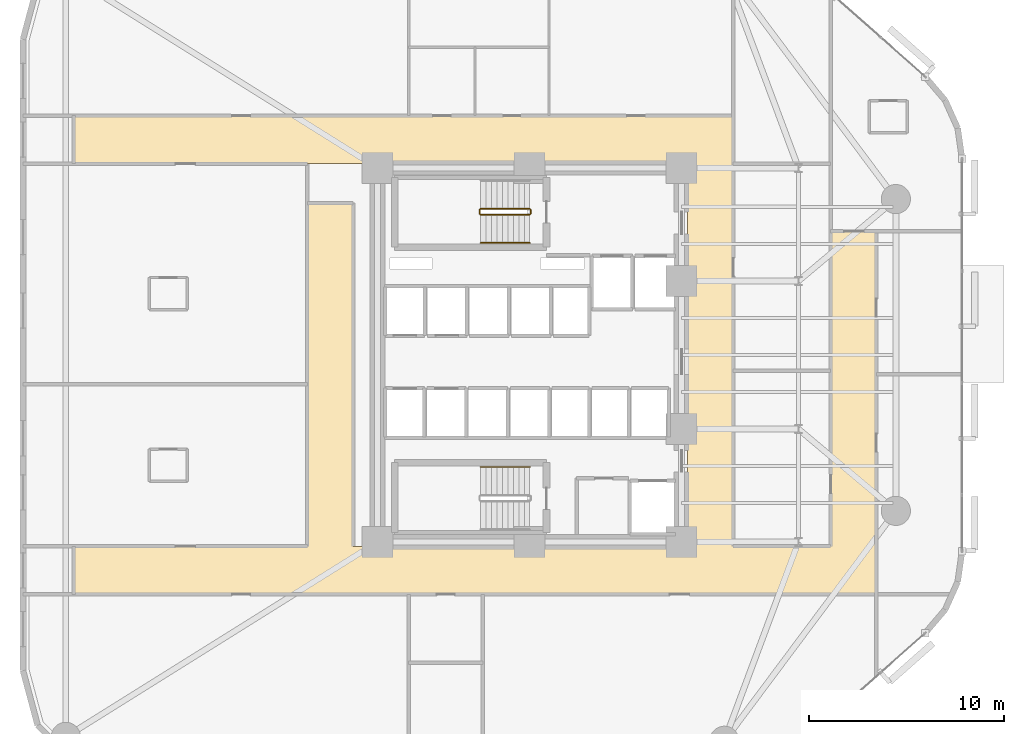
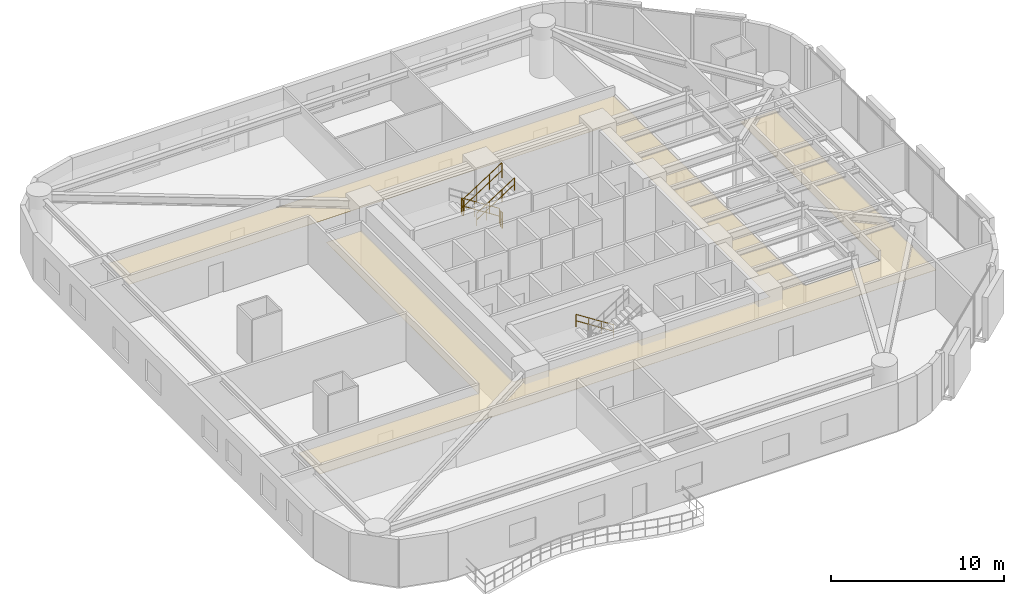
# One storey, part 15 of 16: 6 railings, 1 covering.
"""IFC4 building model written with IfcOpenShell, lengths in metres."""

import ifcopenshell
import ifcopenshell.guid

model = None  # the IFC model being written
_history = None  # IfcOwnerHistory: only IFC2X3 demands one
_inside = {}  # id of a spatial element -> (the spatial element, [elements in it])
_under = {}  # id of a project, library or spatial element -> (it, [spatial elements below it])
_declared = {}  # id of a project -> (the project, [libraries it declares])
_typed = {}  # id of a type object -> (the type object, [elements of that type])
_made_of = {}  # id of a material, layer set ... -> (it, [elements and type objects made of it])


def new_model(schema):
    """Start an empty IFC model of exactly this schema.

    Asked for "IFC4X3", IfcOpenShell would pick the latest addendum, in which some entities
    have other attributes; the version numbers below select the first issue.
    IFC2X3 requires an IfcOwnerHistory on every rooted entity: one is made here for all.
    """
    global model, _history
    if schema == "IFC4X3":
        model = ifcopenshell.file(schema_version=(4, 3, 0, 0))
    else:
        model = ifcopenshell.file(schema=schema)
    _inside.clear()
    _under.clear()
    _declared.clear()
    _typed.clear()
    _made_of.clear()
    _history = None
    if model.schema == "IFC2X3":
        org = make("IfcOrganization", Name="unknown")
        user = make(
            "IfcPersonAndOrganization",
            ThePerson=make("IfcPerson", FamilyName="unknown"),
            TheOrganization=org,
        )
        app = make(
            "IfcApplication",
            ApplicationDeveloper=org,
            Version="unknown",
            ApplicationFullName="unknown",
            ApplicationIdentifier="unknown",
        )
        _history = make(
            "IfcOwnerHistory",
            OwningUser=user,
            OwningApplication=app,
            ChangeAction="ADDED",
            CreationDate=0,
        )
    return model


def make(cls, **values):
    """One entity of the class cls with the attributes given. An attribute that is None is left unset."""
    return model.create_entity(
        cls, **{name: value for name, value in values.items() if value is not None}
    )


def rooted(cls, **values):
    """An entity with a GlobalId (a new one), such as an element, a storey or a relation."""
    return make(cls, GlobalId=ifcopenshell.guid.new(), OwnerHistory=_history, **values)


def si_unit(unit_type, name, prefix=None):
    """IfcSIUnit, for example si_unit("LENGTHUNIT", "METRE", prefix="MILLI")."""
    return make("IfcSIUnit", UnitType=unit_type, Prefix=prefix, Name=name)


def assignment(units):
    """IfcUnitAssignment: the units of a project."""
    return None if units is None else make("IfcUnitAssignment", Units=units)


def point(xyz):
    """IfcCartesianPoint."""
    return None if xyz is None else make("IfcCartesianPoint", Coordinates=xyz)


def direction(xyz):
    """IfcDirection."""
    return None if xyz is None else make("IfcDirection", DirectionRatios=xyz)


def frame(location, z_axis=None, x_axis=None):
    """IfcAxis2Placement3D, a coordinate frame: its origin and axes. An axis left out is left unset."""
    return make(
        "IfcAxis2Placement3D",
        Location=point(location),
        Axis=direction(z_axis),
        RefDirection=direction(x_axis),
    )


def frame_2d(location, x_axis=None):
    """IfcAxis2Placement2D, a coordinate frame in the plane: its origin and x axis."""
    return make(
        "IfcAxis2Placement2D", Location=point(location), RefDirection=direction(x_axis)
    )


def origin():
    """The frame at (0, 0, 0) with its axes left unset."""
    return frame((0.0, 0.0, 0.0))


def origin_2d():
    """The frame at (0, 0) in the plane with its x axis left unset."""
    return frame_2d((0.0, 0.0))


def place(relative_to, where):
    """IfcLocalPlacement: puts the frame where relative to a parent placement (None: the world)."""
    return make(
        "IfcLocalPlacement", PlacementRelTo=relative_to, RelativePlacement=where
    )


def context(
    kind, dimensions, precision=None, world=None, true_north=None, identifier=None
):
    """IfcGeometricRepresentationContext, for example the 3D "Model" context."""
    return make(
        "IfcGeometricRepresentationContext",
        ContextIdentifier=identifier,
        ContextType=kind,
        CoordinateSpaceDimension=dimensions,
        Precision=precision,
        WorldCoordinateSystem=world,
        TrueNorth=true_north,
    )


def subcontext(parent, identifier, kind, view, scale=None):
    """IfcGeometricRepresentationSubContext, for example "Body" below "Model"."""
    return make(
        "IfcGeometricRepresentationSubContext",
        ContextIdentifier=identifier,
        ContextType=kind,
        ParentContext=parent,
        TargetScale=scale,
        TargetView=view,
    )


def project(units=None, contexts=None):
    """IfcProject with its units and contexts."""
    return rooted(
        "IfcProject",
        Name="project",
        RepresentationContexts=contexts,
        UnitsInContext=assignment(units),
    )


def spatial(cls, under=None, at=None, **own):
    """A site, building, storey or space (cls), placed at a placement, below another one or the project."""
    s = rooted(cls, ObjectPlacement=at, **own)
    if under is not None:
        _under.setdefault(under.id(), (under, []))[1].append(s)
    return s


def polyline(points):
    """IfcPolyline through the points."""
    return make("IfcPolyline", Points=[point(p) for p in points])


def profile(cls, at=None, kind="AREA", **sizes):
    """A parametric profile (cls). Its sizes go by their IFC names, for example OverallWidth=200.0."""
    return make(cls, ProfileType=kind, Position=at, **sizes)


def circle(**sizes):
    """IfcCircleProfileDef."""
    return profile("IfcCircleProfileDef", **sizes)


def outline(outer, holes=None, kind="AREA"):
    """IfcArbitraryClosedProfileDef: a profile drawn as a closed curve; with holes, ...WithVoids."""
    if holes is None:
        return make("IfcArbitraryClosedProfileDef", ProfileType=kind, OuterCurve=outer)
    return make(
        "IfcArbitraryProfileDefWithVoids",
        ProfileType=kind,
        OuterCurve=outer,
        InnerCurves=holes,
    )


def extrude(swept, where, along, depth):
    """IfcExtrudedAreaSolid: the profile swept, set in the frame where, extruded along a direction by depth."""
    return make(
        "IfcExtrudedAreaSolid",
        SweptArea=swept,
        Position=where,
        ExtrudedDirection=direction(along),
        Depth=depth,
    )


def shape(context_of_items, identifier, shape_type, items):
    """IfcShapeRepresentation: the items that make up one representation, for example the "Body"."""
    return make(
        "IfcShapeRepresentation",
        ContextOfItems=context_of_items,
        RepresentationIdentifier=identifier,
        RepresentationType=shape_type,
        Items=items,
    )


def material(Name=None, Category=None):
    """IfcMaterial."""
    return make("IfcMaterial", Name=Name, Category=Category)


def layer(
    of_material, thickness, ventilated=None, Name=None, Category=None, Priority=None
):
    """IfcMaterialLayer: one layer of a wall or slab, of a material (None: an air gap)."""
    return make(
        "IfcMaterialLayer",
        Material=of_material,
        LayerThickness=thickness,
        IsVentilated=ventilated,
        Name=Name,
        Category=Category,
        Priority=Priority,
    )


def layer_set(layers, Name=None):
    """IfcMaterialLayerSet."""
    return make("IfcMaterialLayerSet", MaterialLayers=layers, LayerSetName=Name)


def made_of(thing, what):
    """Note that an element or type object is made of a material, layer set ...; save() writes the relation."""
    if what is not None:
        _made_of.setdefault(what.id(), (what, []))[1].append(thing)
    return thing


def type_object(cls, material=None, **own):
    """A type object (cls), such as IfcWallType, which elements share."""
    return made_of(rooted(cls, **own), material)


def element(
    cls,
    number,
    at=None,
    inside=None,
    cuts=None,
    type_object=None,
    material=None,
    context=None,
    identifier="Body",
    shape_type=None,
    held_by="IfcProductDefinitionShape",
    body=None,
    shapes=None,
    **own,
):
    """One element of the class cls, such as IfcWall. Its Tag is "e" and its number.

    at: its placement. inside: the storey or other place that contains it. cuts: it is an
    opening in that element (IfcRelVoidsElement). A single representation is given by context,
    identifier, shape_type and body (its items); several are given by shapes. held_by: the class
    of the entity that holds the representations. save() writes the other relations.
    """
    e = rooted(cls, Tag="e%d" % number, ObjectPlacement=at, **own)
    if body is not None:
        shapes = [shape(context, identifier, shape_type, body)]
    if shapes is not None:
        e.Representation = make(held_by, Representations=shapes)
    if inside is not None:
        _inside.setdefault(inside.id(), (inside, []))[1].append(e)
    if cuts is not None:
        rooted(
            "IfcRelVoidsElement", RelatingBuildingElement=cuts, RelatedOpeningElement=e
        )
    if type_object is not None:
        _typed.setdefault(type_object.id(), (type_object, []))[1].append(e)
    return made_of(e, material)


def aggregate(whole, parts):
    """IfcRelAggregates: a whole, such as a stair, and the parts it consists of."""
    return rooted("IfcRelAggregates", RelatingObject=whole, RelatedObjects=parts)


def save(model, path):
    """Write the relations noted so far, then the file.

    IfcRelAggregates (storeys below a building ...), IfcRelContainedInSpatialStructure (elements
    in a storey), IfcRelDefinesByType, IfcRelAssociatesMaterial and IfcRelDeclares: one each for
    every whole, place, type object, material and project.
    """
    for whole, parts in _under.values():
        aggregate(whole, parts)
    for where, things in _inside.values():
        rooted(
            "IfcRelContainedInSpatialStructure",
            RelatedElements=things,
            RelatingStructure=where,
        )
    for kind, things in _typed.values():
        rooted("IfcRelDefinesByType", RelatedObjects=things, RelatingType=kind)
    for what, things in _made_of.values():
        rooted("IfcRelAssociatesMaterial", RelatedObjects=things, RelatingMaterial=what)
    for by, libraries in _declared.values():
        rooted("IfcRelDeclares", RelatingContext=by, RelatedDefinitions=libraries)
    model.write(path)


model = new_model("IFC4")

# Units and contexts
model_context = context("Model", 3, precision=1e-05, world=origin(), true_north=direction((0.0, 1.0)))
body_context = subcontext(model_context, "Body", "Model", "MODEL_VIEW")
ifc_project = project(units=[si_unit("LENGTHUNIT", "METRE"), si_unit("AREAUNIT", "SQUARE_METRE"), si_unit("VOLUMEUNIT", "CUBIC_METRE"), si_unit("PLANEANGLEUNIT", "RADIAN"), si_unit("MASSUNIT", "GRAM", prefix="KILO")], contexts=[model_context])

# Site, building, storey
site_placement = place(None, origin())
site = spatial("IfcSite", under=ifc_project, at=site_placement, CompositionType="ELEMENT")
building_placement = place(site_placement, origin())
building = spatial("IfcBuilding", under=site, at=building_placement, Name="An Khanh Terracotta Commons", CompositionType="ELEMENT")
storey_placement = place(building_placement, frame((0.0, 0.0, 72.0)))
storey = spatial("IfcBuildingStorey", under=building, at=storey_placement, Name="L19", CompositionType="ELEMENT", Elevation=72.0)

# Covering
ifc_material_1 = material(Name="Perforated Mineral-Fibre Acoustic Tile")
ifc_layer = layer(ifc_material_1, 0.02001953125, Name="Perforated Mineral-Fibre Acoustic Tile")
ifc_layer_set = layer_set([ifc_layer], Name="Perforated Mineral-Fibre Acoustic Tile")
covering_type = type_object("IfcCoveringType", Name="CEIL-ACOUSTIC-18", PredefinedType="CEILING", material=ifc_layer_set)
covering_placement = place(storey_placement, frame((0.0, 0.0, 2.64990234375)))
element("IfcCovering", 1, at=covering_placement, inside=storey, type_object=covering_type, Name="L19 Corridor Ceiling", PredefinedType="CEILING", context=body_context, shape_type="SweptSolid", body=[
    extrude(outline(polyline([(44.85009765625, 30.35009765625), (47.199951171875, 30.35009765625), (47.199951171875, 14.179931640625), (47.199951171875, 11.719970703125), (44.85009765625, 11.719970703125), (39.85009765625, 11.719970703125), (37.5, 11.719970703125), (6.0, 11.719970703125), (6.0, 14.179931640625), (18.0, 14.179931640625), (18.0, 31.800048828125), (20.35009765625, 31.800048828125), (20.35009765625, 14.179931640625), (37.5, 14.179931640625), (37.5, 33.820068359375), (6.0, 33.820068359375), (6.0, 36.280029296875), (37.5, 36.280029296875), (39.85009765625, 36.280029296875), (39.85009765625, 33.820068359375), (39.85009765625, 14.179931640625), (44.85009765625, 14.179931640625), (44.85009765625, 30.35009765625)])), origin(), (0.0, 0.0, 1.0), 0.02001953125),
])

# Railings
ifc_material_2 = material(Name="Brushed Stainless Steel 316", Category="steel")
railing_type_1 = type_object("IfcRailingType", Name="RAIL-HANDRAIL-900", PredefinedType="HANDRAIL", material=ifc_material_2)
railing_1_placement = place(storey_placement, frame((26.889892578125, 29.75, 1.97998046875)))
element("IfcRailing", 2, at=railing_1_placement, inside=storey, type_object=railing_type_1, Name="L19 ST-01 stair handrail 2", PredefinedType="HANDRAIL", context=body_context, shape_type="SweptSolid", body=[
    extrude(circle(Radius=0.02392578125, at=origin_2d()), frame((0.0, 0.0, 0.8759765625), z_axis=(0.841162588446, 0.0, 0.540782303519), x_axis=(0.0, 1.0, 0.0)), (0.0, 0.0, 1.0), 2.995849609375),
    extrude(circle(Radius=0.02392578125, at=origin_2d()), frame((0.0, 0.0, 0.42578125), z_axis=(0.841162588446, 0.0, 0.540782303519), x_axis=(0.0, 1.0, 0.0)), (0.0, 0.0, 1.0), 2.995849609375),
    extrude(circle(Radius=0.02099609375, at=origin_2d()), origin(), (0.0, 0.0, 1.0), 0.851806640625),
    extrude(circle(Radius=0.02099609375, at=origin_2d()), frame((0.840087890625, 0.0, 0.5400390625)), (0.0, 0.0, 1.0), 0.851806640625),
    extrude(circle(Radius=0.02099609375, at=origin_2d()), frame((1.679931640625, 0.0, 1.080078125)), (0.0, 0.0, 1.0), 0.851806640625),
    extrude(circle(Radius=0.02099609375, at=origin_2d()), frame((2.52001953125, 0.0, 1.6201171875)), (0.0, 0.0, 1.0), 0.851806640625),
])
railing_2_placement = place(storey_placement, frame((29.409912109375, 18.25, 0.179931640625)))
element("IfcRailing", 3, at=railing_2_placement, inside=storey, type_object=railing_type_1, Name="L19 ST-02 stair handrail 1", PredefinedType="HANDRAIL", context=body_context, shape_type="SweptSolid", body=[
    extrude(circle(Radius=0.02392578125, at=origin_2d()), frame((0.0, 0.0, 0.8759765625), z_axis=(-0.841162588446, 0.0, 0.540782303519), x_axis=(0.0, -1.0, 0.0)), (0.0, 0.0, 1.0), 2.995849609375),
    extrude(circle(Radius=0.02392578125, at=origin_2d()), frame((0.0, 0.0, 0.42578125), z_axis=(-0.841162588446, 0.0, 0.540782303519), x_axis=(0.0, -1.0, 0.0)), (0.0, 0.0, 1.0), 2.995849609375),
    extrude(circle(Radius=0.02099609375, at=origin_2d()), origin(), (0.0, 0.0, 1.0), 0.851806640625),
    extrude(circle(Radius=0.02099609375, at=origin_2d()), frame((-0.840087890625, 0.0, 0.5400390625)), (0.0, 0.0, 1.0), 0.851806640625),
    extrude(circle(Radius=0.02099609375, at=origin_2d()), frame((-1.679931640625, 0.0, 1.080078125)), (0.0, 0.0, 1.0), 0.851806640625),
    extrude(circle(Radius=0.02099609375, at=origin_2d()), frame((-2.52001953125, 0.0, 1.6201171875)), (0.0, 0.0, 1.0), 0.851806640625),
])
ifc_material_3 = material(Name="Powder-Coated Steel S355J2", Category="steel")
railing_type_2 = type_object("IfcRailingType", Name="RAIL-STAIR-GUARD-1100", PredefinedType="BALUSTRADE", material=ifc_material_3)
railing_3_placement = place(storey_placement, frame((29.409912109375, 31.5, 0.179931640625)))
element("IfcRailing", 4, at=railing_3_placement, inside=storey, type_object=railing_type_2, Name="L19 ST-01 stair guard 1", PredefinedType="BALUSTRADE", context=body_context, shape_type="SweptSolid", body=[
    extrude(circle(Radius=0.02392578125, at=origin_2d()), frame((0.0, 0.0, 1.076171875), z_axis=(-0.841162588446, 0.0, 0.540782303519), x_axis=(0.0, -1.0, 0.0)), (0.0, 0.0, 1.0), 2.995849609375),
    extrude(circle(Radius=0.02392578125, at=origin_2d()), frame((0.0, 0.0, 0.52587890625), z_axis=(-0.841162588446, 0.0, 0.540782303519), x_axis=(0.0, -1.0, 0.0)), (0.0, 0.0, 1.0), 2.995849609375),
    extrude(circle(Radius=0.02099609375, at=origin_2d()), origin(), (0.0, 0.0, 1.0), 1.052001953125),
    extrude(circle(Radius=0.02099609375, at=origin_2d()), frame((-0.840087890625, 0.0, 0.5400390625)), (0.0, 0.0, 1.0), 1.052001953125),
    extrude(circle(Radius=0.02099609375, at=origin_2d()), frame((-1.679931640625, 0.0, 1.080078125)), (0.0, 0.0, 1.0), 1.052001953125),
    extrude(circle(Radius=0.02099609375, at=origin_2d()), frame((-2.52001953125, 0.0, 1.6201171875)), (0.0, 0.0, 1.0), 1.052001953125),
])
railing_4_placement = place(storey_placement, frame((26.840087890625, 31.449951171875, 1.800048828125)))
element("IfcRailing", 5, at=railing_4_placement, inside=storey, type_object=railing_type_2, Name="L19 ST-01 stair guard 2", PredefinedType="BALUSTRADE", context=body_context, shape_type="SweptSolid", body=[
    extrude(circle(Radius=0.02392578125, at=origin_2d()), frame((0.0, 0.0, 1.076171875), z_axis=(0.0, -1.0, 0.0), x_axis=(1.0, 0.0, 0.0)), (0.0, 0.0, 1.0), 0.199951171875),
    extrude(circle(Radius=0.02392578125, at=origin_2d()), frame((0.0, 0.0, 0.52587890625), z_axis=(0.0, -1.0, 0.0), x_axis=(1.0, 0.0, 0.0)), (0.0, 0.0, 1.0), 0.199951171875),
    extrude(circle(Radius=0.02099609375, at=origin_2d()), origin(), (0.0, 0.0, 1.0), 1.052001953125),
    extrude(circle(Radius=0.02099609375, at=origin_2d()), frame((0.0, -0.199951171875, 0.0)), (0.0, 0.0, 1.0), 1.052001953125),
])
railing_5_placement = place(storey_placement, frame((26.889892578125, 31.199951171875, 1.97998046875)))
element("IfcRailing", 6, at=railing_5_placement, inside=storey, type_object=railing_type_2, Name="L19 ST-01 stair guard 3", PredefinedType="BALUSTRADE", context=body_context, shape_type="SweptSolid", body=[
    extrude(circle(Radius=0.02392578125, at=origin_2d()), frame((0.0, 0.0, 1.076171875), z_axis=(0.841162588446, 0.0, 0.540782303519), x_axis=(0.0, 1.0, 0.0)), (0.0, 0.0, 1.0), 2.995849609375),
    extrude(circle(Radius=0.02392578125, at=origin_2d()), frame((0.0, 0.0, 0.52587890625), z_axis=(0.841162588446, 0.0, 0.540782303519), x_axis=(0.0, 1.0, 0.0)), (0.0, 0.0, 1.0), 2.995849609375),
    extrude(circle(Radius=0.02099609375, at=origin_2d()), origin(), (0.0, 0.0, 1.0), 1.052001953125),
    extrude(circle(Radius=0.02099609375, at=origin_2d()), frame((0.840087890625, 0.0, 0.5400390625)), (0.0, 0.0, 1.0), 1.052001953125),
    extrude(circle(Radius=0.02099609375, at=origin_2d()), frame((1.679931640625, 0.0, 1.080078125)), (0.0, 0.0, 1.0), 1.052001953125),
    extrude(circle(Radius=0.02099609375, at=origin_2d()), frame((2.52001953125, 0.0, 1.6201171875)), (0.0, 0.0, 1.0), 1.052001953125),
])
railing_6_placement = place(storey_placement, frame((29.4599609375, 31.449951171875, 0.0)))
element("IfcRailing", 7, at=railing_6_placement, inside=storey, type_object=railing_type_2, Name="L19 ST-01 stair guard 4", PredefinedType="BALUSTRADE", context=body_context, shape_type="SweptSolid", body=[
    extrude(circle(Radius=0.02392578125, at=origin_2d()), frame((0.0, 0.0, 1.076171875), z_axis=(0.0, -1.0, 0.0), x_axis=(1.0, 0.0, 0.0)), (0.0, 0.0, 1.0), 0.199951171875),
    extrude(circle(Radius=0.02392578125, at=origin_2d()), frame((0.0, 0.0, 0.52587890625), z_axis=(0.0, -1.0, 0.0), x_axis=(1.0, 0.0, 0.0)), (0.0, 0.0, 1.0), 0.199951171875),
    extrude(circle(Radius=0.02099609375, at=origin_2d()), origin(), (0.0, 0.0, 1.0), 1.052001953125),
    extrude(circle(Radius=0.02099609375, at=origin_2d()), frame((0.0, -0.199951171875, 0.0)), (0.0, 0.0, 1.0), 1.052001953125),
])

save(model, "model.ifc")
